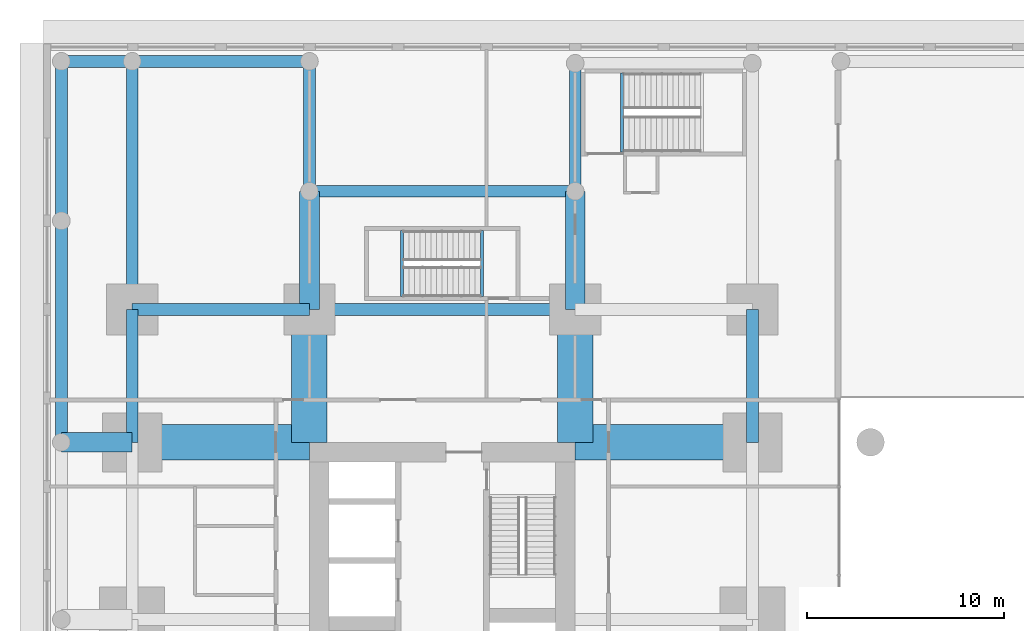
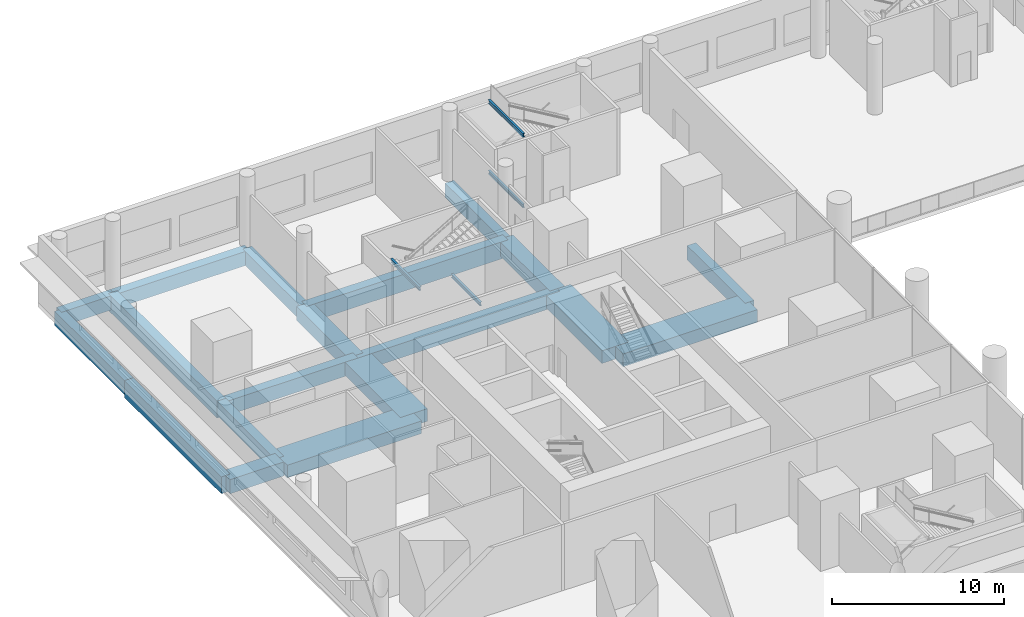
# One storey, part 5 of 22: 23 beams.
"""IFC4 building model written with IfcOpenShell, lengths in metres."""

import ifcopenshell
import ifcopenshell.guid

model = None  # the IFC model being written
_history = None  # IfcOwnerHistory: only IFC2X3 demands one
_inside = {}  # id of a spatial element -> (the spatial element, [elements in it])
_under = {}  # id of a project, library or spatial element -> (it, [spatial elements below it])
_declared = {}  # id of a project -> (the project, [libraries it declares])
_typed = {}  # id of a type object -> (the type object, [elements of that type])
_made_of = {}  # id of a material, layer set ... -> (it, [elements and type objects made of it])


def new_model(schema):
    """Start an empty IFC model of exactly this schema.

    Asked for "IFC4X3", IfcOpenShell would pick the latest addendum, in which some entities
    have other attributes; the version numbers below select the first issue.
    IFC2X3 requires an IfcOwnerHistory on every rooted entity: one is made here for all.
    """
    global model, _history
    if schema == "IFC4X3":
        model = ifcopenshell.file(schema_version=(4, 3, 0, 0))
    else:
        model = ifcopenshell.file(schema=schema)
    _inside.clear()
    _under.clear()
    _declared.clear()
    _typed.clear()
    _made_of.clear()
    _history = None
    if model.schema == "IFC2X3":
        org = make("IfcOrganization", Name="unknown")
        user = make(
            "IfcPersonAndOrganization",
            ThePerson=make("IfcPerson", FamilyName="unknown"),
            TheOrganization=org,
        )
        app = make(
            "IfcApplication",
            ApplicationDeveloper=org,
            Version="unknown",
            ApplicationFullName="unknown",
            ApplicationIdentifier="unknown",
        )
        _history = make(
            "IfcOwnerHistory",
            OwningUser=user,
            OwningApplication=app,
            ChangeAction="ADDED",
            CreationDate=0,
        )
    return model


def make(cls, **values):
    """One entity of the class cls with the attributes given. An attribute that is None is left unset."""
    return model.create_entity(
        cls, **{name: value for name, value in values.items() if value is not None}
    )


def rooted(cls, **values):
    """An entity with a GlobalId (a new one), such as an element, a storey or a relation."""
    return make(cls, GlobalId=ifcopenshell.guid.new(), OwnerHistory=_history, **values)


def si_unit(unit_type, name, prefix=None):
    """IfcSIUnit, for example si_unit("LENGTHUNIT", "METRE", prefix="MILLI")."""
    return make("IfcSIUnit", UnitType=unit_type, Prefix=prefix, Name=name)


def assignment(units):
    """IfcUnitAssignment: the units of a project."""
    return None if units is None else make("IfcUnitAssignment", Units=units)


def point(xyz):
    """IfcCartesianPoint."""
    return None if xyz is None else make("IfcCartesianPoint", Coordinates=xyz)


def direction(xyz):
    """IfcDirection."""
    return None if xyz is None else make("IfcDirection", DirectionRatios=xyz)


def frame(location, z_axis=None, x_axis=None):
    """IfcAxis2Placement3D, a coordinate frame: its origin and axes. An axis left out is left unset."""
    return make(
        "IfcAxis2Placement3D",
        Location=point(location),
        Axis=direction(z_axis),
        RefDirection=direction(x_axis),
    )


def frame_2d(location, x_axis=None):
    """IfcAxis2Placement2D, a coordinate frame in the plane: its origin and x axis."""
    return make(
        "IfcAxis2Placement2D", Location=point(location), RefDirection=direction(x_axis)
    )


def origin():
    """The frame at (0, 0, 0) with its axes left unset."""
    return frame((0.0, 0.0, 0.0))


def origin_2d():
    """The frame at (0, 0) in the plane with its x axis left unset."""
    return frame_2d((0.0, 0.0))


def place(relative_to, where):
    """IfcLocalPlacement: puts the frame where relative to a parent placement (None: the world)."""
    return make(
        "IfcLocalPlacement", PlacementRelTo=relative_to, RelativePlacement=where
    )


def context(
    kind, dimensions, precision=None, world=None, true_north=None, identifier=None
):
    """IfcGeometricRepresentationContext, for example the 3D "Model" context."""
    return make(
        "IfcGeometricRepresentationContext",
        ContextIdentifier=identifier,
        ContextType=kind,
        CoordinateSpaceDimension=dimensions,
        Precision=precision,
        WorldCoordinateSystem=world,
        TrueNorth=true_north,
    )


def subcontext(parent, identifier, kind, view, scale=None):
    """IfcGeometricRepresentationSubContext, for example "Body" below "Model"."""
    return make(
        "IfcGeometricRepresentationSubContext",
        ContextIdentifier=identifier,
        ContextType=kind,
        ParentContext=parent,
        TargetScale=scale,
        TargetView=view,
    )


def project(units=None, contexts=None):
    """IfcProject with its units and contexts."""
    return rooted(
        "IfcProject",
        Name="project",
        RepresentationContexts=contexts,
        UnitsInContext=assignment(units),
    )


def spatial(cls, under=None, at=None, **own):
    """A site, building, storey or space (cls), placed at a placement, below another one or the project."""
    s = rooted(cls, ObjectPlacement=at, **own)
    if under is not None:
        _under.setdefault(under.id(), (under, []))[1].append(s)
    return s


def profile(cls, at=None, kind="AREA", **sizes):
    """A parametric profile (cls). Its sizes go by their IFC names, for example OverallWidth=200.0."""
    return make(cls, ProfileType=kind, Position=at, **sizes)


def rectangle(**sizes):
    """IfcRectangleProfileDef."""
    return profile("IfcRectangleProfileDef", **sizes)


def i_section(**sizes):
    """IfcIShapeProfileDef."""
    return profile("IfcIShapeProfileDef", **sizes)


def extrude(swept, where, along, depth):
    """IfcExtrudedAreaSolid: the profile swept, set in the frame where, extruded along a direction by depth."""
    return make(
        "IfcExtrudedAreaSolid",
        SweptArea=swept,
        Position=where,
        ExtrudedDirection=direction(along),
        Depth=depth,
    )


def shape(context_of_items, identifier, shape_type, items):
    """IfcShapeRepresentation: the items that make up one representation, for example the "Body"."""
    return make(
        "IfcShapeRepresentation",
        ContextOfItems=context_of_items,
        RepresentationIdentifier=identifier,
        RepresentationType=shape_type,
        Items=items,
    )


def material(Name=None, Category=None):
    """IfcMaterial."""
    return make("IfcMaterial", Name=Name, Category=Category)


def material_profile(
    of_material, cross_section, Name=None, Category=None, Priority=None
):
    """IfcMaterialProfile: a cross section and its material."""
    return make(
        "IfcMaterialProfile",
        Name=Name,
        Material=of_material,
        Profile=cross_section,
        Priority=Priority,
        Category=Category,
    )


def profile_set(profiles, Name=None, composite=None):
    """IfcMaterialProfileSet."""
    return make(
        "IfcMaterialProfileSet",
        Name=Name,
        MaterialProfiles=profiles,
        CompositeProfile=composite,
    )


def made_of(thing, what):
    """Note that an element or type object is made of a material, layer set ...; save() writes the relation."""
    if what is not None:
        _made_of.setdefault(what.id(), (what, []))[1].append(thing)
    return thing


def type_object(cls, material=None, **own):
    """A type object (cls), such as IfcWallType, which elements share."""
    return made_of(rooted(cls, **own), material)


def element(
    cls,
    number,
    at=None,
    inside=None,
    cuts=None,
    type_object=None,
    material=None,
    context=None,
    identifier="Body",
    shape_type=None,
    held_by="IfcProductDefinitionShape",
    body=None,
    shapes=None,
    **own,
):
    """One element of the class cls, such as IfcWall. Its Tag is "e" and its number.

    at: its placement. inside: the storey or other place that contains it. cuts: it is an
    opening in that element (IfcRelVoidsElement). A single representation is given by context,
    identifier, shape_type and body (its items); several are given by shapes. held_by: the class
    of the entity that holds the representations. save() writes the other relations.
    """
    e = rooted(cls, Tag="e%d" % number, ObjectPlacement=at, **own)
    if body is not None:
        shapes = [shape(context, identifier, shape_type, body)]
    if shapes is not None:
        e.Representation = make(held_by, Representations=shapes)
    if inside is not None:
        _inside.setdefault(inside.id(), (inside, []))[1].append(e)
    if cuts is not None:
        rooted(
            "IfcRelVoidsElement", RelatingBuildingElement=cuts, RelatedOpeningElement=e
        )
    if type_object is not None:
        _typed.setdefault(type_object.id(), (type_object, []))[1].append(e)
    return made_of(e, material)


def aggregate(whole, parts):
    """IfcRelAggregates: a whole, such as a stair, and the parts it consists of."""
    return rooted("IfcRelAggregates", RelatingObject=whole, RelatedObjects=parts)


def save(model, path):
    """Write the relations noted so far, then the file.

    IfcRelAggregates (storeys below a building ...), IfcRelContainedInSpatialStructure (elements
    in a storey), IfcRelDefinesByType, IfcRelAssociatesMaterial and IfcRelDeclares: one each for
    every whole, place, type object, material and project.
    """
    for whole, parts in _under.values():
        aggregate(whole, parts)
    for where, things in _inside.values():
        rooted(
            "IfcRelContainedInSpatialStructure",
            RelatedElements=things,
            RelatingStructure=where,
        )
    for kind, things in _typed.values():
        rooted("IfcRelDefinesByType", RelatedObjects=things, RelatingType=kind)
    for what, things in _made_of.values():
        rooted("IfcRelAssociatesMaterial", RelatedObjects=things, RelatingMaterial=what)
    for by, libraries in _declared.values():
        rooted("IfcRelDeclares", RelatingContext=by, RelatedDefinitions=libraries)
    model.write(path)


model = new_model("IFC4")

# Units and contexts
model_context = context("Model", 3, precision=1e-05, world=origin(), true_north=direction((0.0, 1.0)))
body_context = subcontext(model_context, "Body", "Model", "MODEL_VIEW")
ifc_project = project(units=[si_unit("LENGTHUNIT", "METRE"), si_unit("AREAUNIT", "SQUARE_METRE"), si_unit("VOLUMEUNIT", "CUBIC_METRE"), si_unit("PLANEANGLEUNIT", "RADIAN"), si_unit("MASSUNIT", "GRAM", prefix="KILO")], contexts=[model_context])

# Site, building, storey
site_placement = place(None, origin())
site = spatial("IfcSite", under=ifc_project, at=site_placement, CompositionType="ELEMENT")
building_placement = place(site_placement, origin())
building = spatial("IfcBuilding", under=site, at=building_placement, Name="Namib Vertical Campus", CompositionType="ELEMENT")
storey_placement = place(building_placement, frame((0.0, 0.0, 11.0)))
storey = spatial("IfcBuildingStorey", under=building, at=storey_placement, Name="L02", CompositionType="ELEMENT", Elevation=11.0)

# Beams
ifc_material_1 = material(Name="Steel S355JR", Category="steel")
ifc_material_profile_1 = material_profile(ifc_material_1, i_section(OverallWidth=0.14599609375, OverallDepth=0.25146484375, WebThickness=0.006103515625, FlangeThickness=0.008544921875, FilletRadius=0.007568359375, at=origin_2d()))
ifc_profile_set_1 = profile_set([ifc_material_profile_1], Name="Steel S355JR")
beam_type_1 = type_object("IfcBeamType", Name="Landing trimmer UB 254x146x31", PredefinedType="BEAM", material=ifc_profile_set_1)
for number, where, z_axis, x_axis, name in (
    (1, (29.373046875, 44.0, -0.125732421875), (0.0, 1.0, 0.0), (-1.0, 0.0, 0.0), "Landing trimmer LT1 P-S1 L02 1"),
    (2, (29.373046875, 44.0, 4.874267578125), (0.0, 1.0, 0.0), (-1.0, 0.0, 0.0), "Landing trimmer LT1 P-S1 L02 3"),
):
    element("IfcBeam", number, at=place(storey_placement, frame(where, z_axis=z_axis, x_axis=x_axis)), inside=storey, type_object=beam_type_1, Name=name, PredefinedType="BEAM", context=body_context, shape_type="SweptSolid", body=[
        extrude(i_section(OverallWidth=0.14599609375, OverallDepth=0.25146484375, WebThickness=0.006103515625, FlangeThickness=0.008544921875, FilletRadius=0.007568359375, at=origin_2d()), origin(), (0.0, 0.0, 1.0), 4.0),
    ])
for number, where, z_axis, x_axis, name in (
    (3, (22.27294921875, 36.64990234375, -0.125732421875), (0.0, 1.0, 0.0), (-1.0, 0.0, 0.0), "Landing trimmer LT1 A-S3 L02 1"),
    (4, (18.20703125, 36.64990234375, 2.374267578125), (0.0, 1.0, 0.0), (-1.0, 0.0, 0.0), "Landing trimmer LT1 A-S3 L02 2"),
):
    element("IfcBeam", number, at=place(storey_placement, frame(where, z_axis=z_axis, x_axis=x_axis)), inside=storey, type_object=beam_type_1, Name=name, PredefinedType="BEAM", context=body_context, shape_type="SweptSolid", body=[
        extrude(i_section(OverallWidth=0.14599609375, OverallDepth=0.25146484375, WebThickness=0.006103515625, FlangeThickness=0.008544921875, FilletRadius=0.007568359375, at=origin_2d()), origin(), (0.0, 0.0, 1.0), 3.35009765625),
    ])
ifc_material_2 = material(Name="Concrete C40/50", Category="concrete")
ifc_material_profile_2 = material_profile(ifc_material_2, rectangle(XDim=0.60009765625, YDim=1.199951171875, at=origin_2d()))
ifc_profile_set_2 = profile_set([ifc_material_profile_2], Name="Concrete C40/50")
beam_type_2 = type_object("IfcBeamType", Name="Long-span podium beam RC 600x1200", PredefinedType="BEAM", material=ifc_profile_set_2)
beam_1_placement = place(storey_placement, frame((0.89990234375, 29.25, -0.89990234375), z_axis=(0.0, 1.0, 0.0), x_axis=(-1.0, 0.0, 0.0)))
element("IfcBeam", 5, at=beam_1_placement, inside=storey, type_object=beam_type_2, Name="Beam PB4 L02", PredefinedType="BEAM", context=body_context, shape_type="SweptSolid", body=[
    extrude(rectangle(XDim=0.60009765625, YDim=1.199951171875, at=origin_2d()), origin(), (0.0, 0.0, 1.0), 11.25),
])
beam_2_placement = place(storey_placement, frame((4.5, 36.0, -0.89990234375), z_axis=(0.0, 1.0, 0.0), x_axis=(-1.0, 0.0, 0.0)))
element("IfcBeam", 6, at=beam_2_placement, inside=storey, type_object=beam_type_2, Name="Beam PB4 L02", PredefinedType="BEAM", context=body_context, shape_type="SweptSolid", body=[
    extrude(rectangle(XDim=0.60009765625, YDim=1.199951171875, at=origin_2d()), origin(), (0.0, 0.0, 1.0), 12.60009765625),
])
beam_3_placement = place(storey_placement, frame((13.5, 42.0, -0.89990234375), z_axis=(1.0, 0.0, 0.0), x_axis=(0.0, 1.0, 0.0)))
element("IfcBeam", 7, at=beam_3_placement, inside=storey, type_object=beam_type_2, Name="Beam PB4 L02", PredefinedType="BEAM", context=body_context, shape_type="SweptSolid", body=[
    extrude(rectangle(XDim=0.60009765625, YDim=1.199951171875, at=origin_2d()), origin(), (0.0, 0.0, 1.0), 13.5),
])
ifc_material_3 = material(Name="Concrete C40/50", Category="concrete")
ifc_material_profile_3 = material_profile(ifc_material_3, rectangle(XDim=1.800048828125, YDim=0.89990234375, at=origin_2d()))
ifc_profile_set_3 = profile_set([ifc_material_profile_3], Name="Concrete C40/50")
beam_type_3 = type_object("IfcBeamType", Name="Outrigger line girder RC 1800x900", PredefinedType="BEAM", material=ifc_profile_set_3)
for number, where, z_axis, x_axis, name in (
    (8, (13.5, 36.0, -0.75), (0.0, -1.0, 0.0), (1.0, 0.0, 0.0), "Beam B12 L02"),
    (9, (27.0, 36.0, -0.75), (0.0, -1.0, 0.0), (1.0, 0.0, 0.0), "Beam B12 L02"),
):
    element("IfcBeam", number, at=place(storey_placement, frame(where, z_axis=z_axis, x_axis=x_axis)), inside=storey, type_object=beam_type_3, Name=name, PredefinedType="BEAM", context=body_context, shape_type="SweptSolid", body=[
        extrude(rectangle(XDim=1.800048828125, YDim=0.89990234375, at=origin_2d()), origin(), (0.0, 0.0, 1.0), 6.75),
    ])
for number, where, z_axis, x_axis, name in (
    (10, (4.5, 29.25, -0.75), (1.0, 0.0, 0.0), (0.0, 1.0, 0.0), "Beam B12 L02"),
    (11, (36.0, 29.25, -0.75), (-1.0, 0.0, 0.0), (0.0, -1.0, 0.0), "Beam B12 L02"),
):
    element("IfcBeam", number, at=place(storey_placement, frame(where, z_axis=z_axis, x_axis=x_axis)), inside=storey, type_object=beam_type_3, Name=name, PredefinedType="BEAM", context=body_context, shape_type="SweptSolid", body=[
        extrude(rectangle(XDim=1.800048828125, YDim=0.89990234375, at=origin_2d()), origin(), (0.0, 0.0, 1.0), 9.0),
    ])
ifc_material_4 = material(Name="Concrete C40/50", Category="concrete")
ifc_material_profile_4 = material_profile(ifc_material_4, rectangle(XDim=0.60009765625, YDim=1.0, at=origin_2d()))
ifc_profile_set_4 = profile_set([ifc_material_profile_4], Name="Concrete C40/50")
beam_type_4 = type_object("IfcBeamType", Name="Podium beam RC 600x1000", PredefinedType="BEAM", material=ifc_profile_set_4)
beam_4_placement = place(storey_placement, frame((0.89990234375, 40.5, -0.800048828125), z_axis=(0.0, 1.0, 0.0), x_axis=(-1.0, 0.0, 0.0)))
element("IfcBeam", 12, at=beam_4_placement, inside=storey, type_object=beam_type_4, Name="Beam PB1 L02", PredefinedType="BEAM", context=body_context, shape_type="SweptSolid", body=[
    extrude(rectangle(XDim=0.60009765625, YDim=1.0, at=origin_2d()), origin(), (0.0, 0.0, 1.0), 8.10009765625),
])
beam_5_placement = place(storey_placement, frame((13.5, 42.0, -0.800048828125), z_axis=(0.0, 1.0, 0.0), x_axis=(-1.0, 0.0, 0.0)))
element("IfcBeam", 13, at=beam_5_placement, inside=storey, type_object=beam_type_4, Name="Beam PB1 L02", PredefinedType="BEAM", context=body_context, shape_type="SweptSolid", body=[
    extrude(rectangle(XDim=0.60009765625, YDim=1.0, at=origin_2d()), origin(), (0.0, 0.0, 1.0), 6.60009765625),
])
beam_6_placement = place(storey_placement, frame((27.0, 42.0, -0.800048828125), z_axis=(0.0, 1.0, 0.0), x_axis=(-1.0, 0.0, 0.0)))
element("IfcBeam", 14, at=beam_6_placement, inside=storey, type_object=beam_type_4, Name="Beam PB1 L02", PredefinedType="BEAM", context=body_context, shape_type="SweptSolid", body=[
    extrude(rectangle(XDim=0.60009765625, YDim=1.0, at=origin_2d()), origin(), (0.0, 0.0, 1.0), 6.5),
])
beam_7_placement = place(storey_placement, frame((0.89990234375, 48.60009765625, -0.800048828125), z_axis=(1.0, 0.0, 0.0), x_axis=(0.0, 1.0, 0.0)))
element("IfcBeam", 15, at=beam_7_placement, inside=storey, type_object=beam_type_4, Name="Beam PB1 L02", PredefinedType="BEAM", context=body_context, shape_type="SweptSolid", body=[
    extrude(rectangle(XDim=0.60009765625, YDim=1.0, at=origin_2d()), origin(), (0.0, 0.0, 1.0), 3.60009765625),
])
beam_8_placement = place(storey_placement, frame((4.5, 48.60009765625, -0.800048828125), z_axis=(1.0, 0.0, 0.0), x_axis=(0.0, 1.0, 0.0)))
element("IfcBeam", 16, at=beam_8_placement, inside=storey, type_object=beam_type_4, Name="Beam PB1 L02", PredefinedType="BEAM", context=body_context, shape_type="SweptSolid", body=[
    extrude(rectangle(XDim=0.60009765625, YDim=1.0, at=origin_2d()), origin(), (0.0, 0.0, 1.0), 9.0),
])
ifc_material_5 = material(Name="Concrete C40/50", Category="concrete")
ifc_material_profile_5 = material_profile(ifc_material_5, rectangle(XDim=0.60009765625, YDim=1.0, at=origin_2d()))
ifc_profile_set_5 = profile_set([ifc_material_profile_5], Name="Concrete C40/50")
beam_type_5 = type_object("IfcBeamType", Name="Podium ring beam RC 600x1000", PredefinedType="BEAM", material=ifc_profile_set_5)
beam_9_placement = place(storey_placement, frame((4.5, 36.0, -0.800048828125), z_axis=(1.0, 0.0, 0.0), x_axis=(0.0, 1.0, 0.0)))
element("IfcBeam", 17, at=beam_9_placement, inside=storey, type_object=beam_type_5, Name="Beam B6 L02", PredefinedType="BEAM", context=body_context, shape_type="SweptSolid", body=[
    extrude(rectangle(XDim=0.60009765625, YDim=1.0, at=origin_2d()), origin(), (0.0, 0.0, 1.0), 9.0),
])
beam_10_placement = place(storey_placement, frame((13.5, 36.0, -0.800048828125), z_axis=(1.0, 0.0, 0.0), x_axis=(0.0, 1.0, 0.0)))
element("IfcBeam", 18, at=beam_10_placement, inside=storey, type_object=beam_type_5, Name="Beam B6 L02", PredefinedType="BEAM", context=body_context, shape_type="SweptSolid", body=[
    extrude(rectangle(XDim=0.60009765625, YDim=1.0, at=origin_2d()), origin(), (0.0, 0.0, 1.0), 13.5),
])
for number, where, z_axis, x_axis, name in (
    (19, (4.5, 29.25, -0.800048828125), (0.0, 1.0, 0.0), (-1.0, 0.0, 0.0), "Beam B6 L02"),
    (20, (36.0, 29.25, -0.800048828125), (0.0, 1.0, 0.0), (-1.0, 0.0, 0.0), "Beam B6 L02"),
):
    element("IfcBeam", number, at=place(storey_placement, frame(where, z_axis=z_axis, x_axis=x_axis)), inside=storey, type_object=beam_type_5, Name=name, PredefinedType="BEAM", context=body_context, shape_type="SweptSolid", body=[
        extrude(rectangle(XDim=0.60009765625, YDim=1.0, at=origin_2d()), origin(), (0.0, 0.0, 1.0), 6.75),
    ])
ifc_material_6 = material(Name="Concrete C40/50", Category="concrete")
ifc_material_profile_6 = material_profile(ifc_material_6, rectangle(XDim=1.0, YDim=1.0, at=origin_2d()))
ifc_profile_set_6 = profile_set([ifc_material_profile_6], Name="Concrete C40/50")
beam_type_6 = type_object("IfcBeamType", Name="Podium tie beam RC 1000x1000", PredefinedType="BEAM", material=ifc_profile_set_6)
for number, where, z_axis, x_axis, name in (
    (21, (13.5, 36.0, -0.800048828125), (0.0, 1.0, 0.0), (-1.0, 0.0, 0.0), "Beam PB3 L02"),
    (22, (27.0, 36.0, -0.800048828125), (0.0, 1.0, 0.0), (-1.0, 0.0, 0.0), "Beam PB3 L02"),
):
    element("IfcBeam", number, at=place(storey_placement, frame(where, z_axis=z_axis, x_axis=x_axis)), inside=storey, type_object=beam_type_6, Name=name, PredefinedType="BEAM", context=body_context, shape_type="SweptSolid", body=[
        extrude(rectangle(XDim=1.0, YDim=1.0, at=origin_2d()), origin(), (0.0, 0.0, 1.0), 6.0),
    ])
beam_11_placement = place(storey_placement, frame((0.89990234375, 29.25, -0.800048828125), z_axis=(1.0, 0.0, 0.0), x_axis=(0.0, 1.0, 0.0)))
element("IfcBeam", 23, at=beam_11_placement, inside=storey, type_object=beam_type_6, Name="Beam PB3 L02", PredefinedType="BEAM", context=body_context, shape_type="SweptSolid", body=[
    extrude(rectangle(XDim=1.0, YDim=1.0, at=origin_2d()), origin(), (0.0, 0.0, 1.0), 3.60009765625),
])

save(model, "model.ifc")
